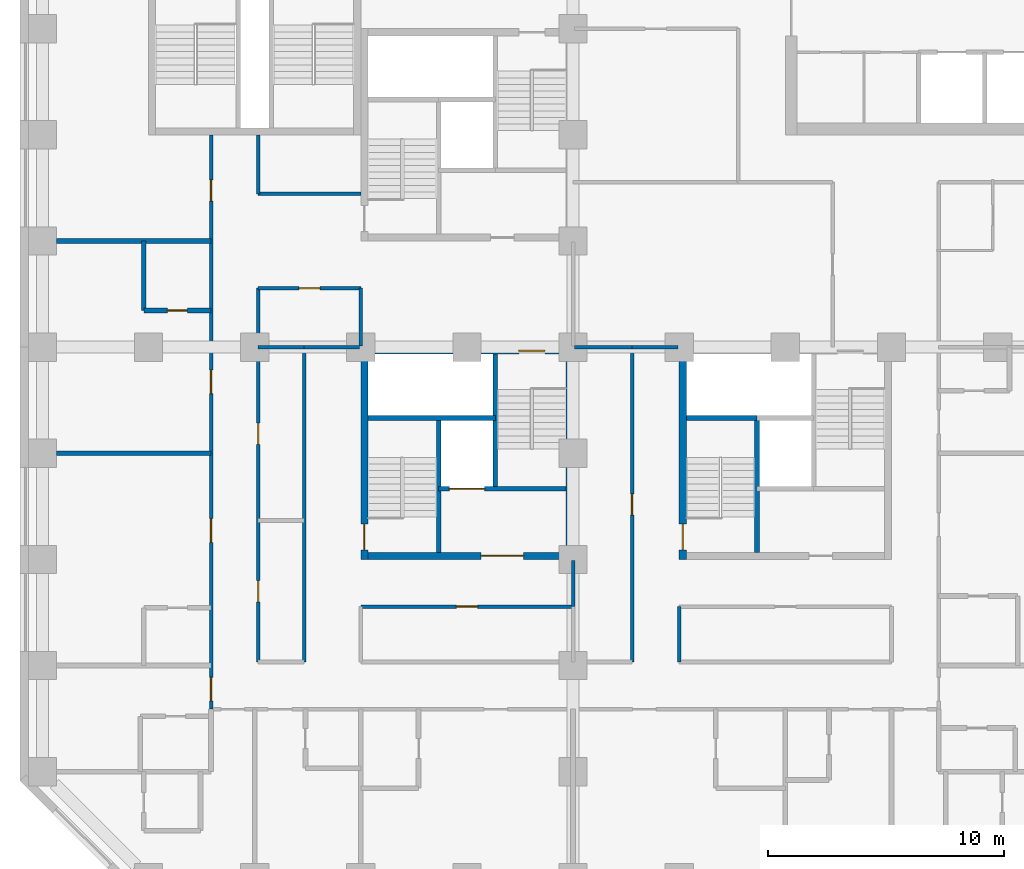
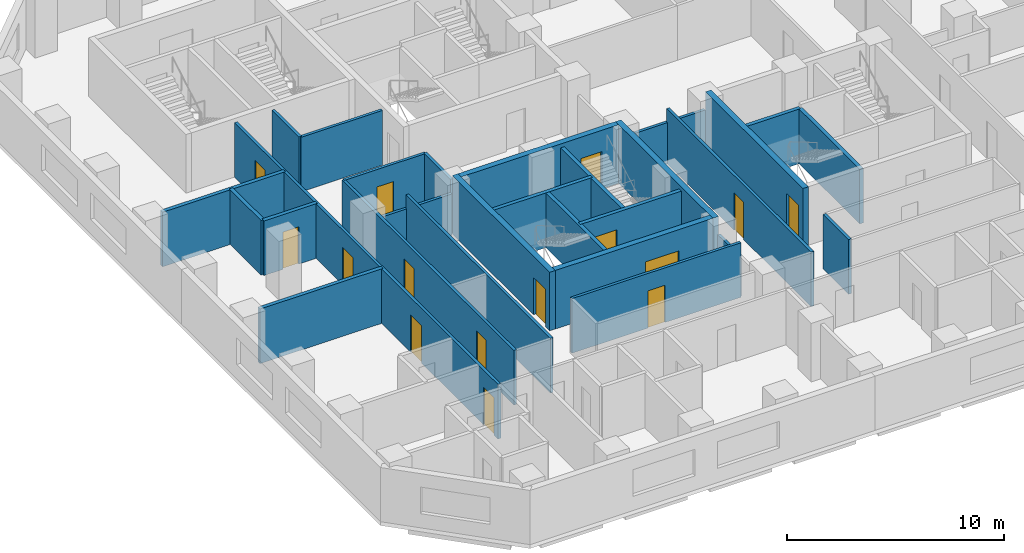
# One storey, part 3 of 12: 30 walls, 15 doors, 15 openings.
"""IFC4 building model written with IfcOpenShell, lengths in metres."""

from ifc_helpers import new_model, si_unit, direction, frame, frame_2d, origin, place, context, subcontext, project, spatial, rectangle, extrude, material, layer, layer_set, type_object, element, fill, save


model = new_model("IFC4")

# Units and contexts
model_context = context("Model", 3, precision=1e-05, world=origin(), true_north=direction((0.0, 1.0)))
body_context = subcontext(model_context, "Body", "Model", "MODEL_VIEW")
ifc_project = project(units=[si_unit("LENGTHUNIT", "METRE"), si_unit("AREAUNIT", "SQUARE_METRE"), si_unit("VOLUMEUNIT", "CUBIC_METRE"), si_unit("PLANEANGLEUNIT", "RADIAN"), si_unit("MASSUNIT", "GRAM", prefix="KILO")], contexts=[model_context])

# Site, building, storey
site_placement = place(None, origin())
site = spatial("IfcSite", under=ifc_project, at=site_placement, CompositionType="ELEMENT")
building_placement = place(site_placement, origin())
building = spatial("IfcBuilding", under=site, at=building_placement, Name="Quoin Convention Tower", CompositionType="ELEMENT")
storey_placement = place(building_placement, frame((0.0, 0.0, 46.199951171875)))
storey = spatial("IfcBuildingStorey", under=building, at=storey_placement, Name="L11", CompositionType="ELEMENT", Elevation=46.199951171875)

# Walls
ifc_material_1 = material(Name="Concrete C50", Category="concrete")
ifc_layer_1 = layer(ifc_material_1, 0.199951171875)
ifc_layer_set_1 = layer_set([ifc_layer_1], Name="Concrete C50")
wall_type_1 = type_object("IfcWallType", Name="Core shaft wall", PredefinedType="SOLIDWALL", material=ifc_layer_set_1)
wall_1_placement = place(storey_placement, frame((40.800048828125, 37.5, 0.0), z_axis=(0.0, 0.0, 1.0), x_axis=(1.0, 0.0, 0.0)))
element("IfcWall", 1, at=wall_1_placement, inside=storey, type_object=wall_type_1, Name="cr-P3-L11-h6000_300", PredefinedType="SOLIDWALL", context=body_context, shape_type="SweptSolid", body=[
    extrude(rectangle(XDim=3.0, YDim=0.199951171875, at=frame_2d((1.5, 0.0))), origin(), (0.0, 0.0, 1.0), 3.080078125),
])
wall_2_placement = place(storey_placement, frame((43.800048828125, 31.800048828125, 0.0), z_axis=(0.0, 0.0, 1.0), x_axis=(0.0, 1.0, 0.0)))
element("IfcWall", 2, at=wall_2_placement, inside=storey, type_object=wall_type_1, Name="cr-P3-L11-v3300_300", PredefinedType="SOLIDWALL", context=body_context, shape_type="SweptSolid", body=[
    extrude(rectangle(XDim=5.699951171875, YDim=0.199951171875, at=frame_2d((2.85009765625, 0.0))), origin(), (0.0, 0.0, 1.0), 3.080078125),
])

# Wall, opening, door
wall_3_placement = place(storey_placement, frame((30.300048828125, 34.5, 0.0), z_axis=(0.0, 0.0, 1.0), x_axis=(1.0, 0.0, 0.0)))
wall_3 = element("IfcWall", 3, at=wall_3_placement, inside=storey, type_object=wall_type_1, Name="cr-P4-L11-h3000_3300", PredefinedType="SOLIDWALL", context=body_context, shape_type="SweptSolid", body=[
    extrude(rectangle(XDim=5.39990234375, YDim=0.199951171875, at=frame_2d((2.699951171875, 0.0))), origin(), (0.0, 0.0, 1.0), 3.080078125),
])
opening_1_placement = place(wall_3_placement, frame((0.449951171875, 0.0, 0.0)))
opening_1 = element("IfcOpeningElement", 4, at=opening_1_placement, cuts=wall_3, Name="Opening LDGL1", PredefinedType="OPENING", context=body_context, shape_type="SweptSolid", body=[
    extrude(rectangle(XDim=1.5, YDim=2.10009765625, at=frame_2d((0.75, 1.050048828125))), frame((0.0, 0.10986328125, 0.0), z_axis=(0.0, -1.0, 0.0), x_axis=(1.0, 0.0, 0.0)), (0.0, 0.0, 1.0), 0.219970703125),
])
ifc_material_2 = material(Name="Steel door leaf", Category="steel")
door_type_1 = type_object("IfcDoorType", Name="Lift landing door 1500 x 2100", OperationType="DOUBLE_DOOR_SLIDING", PredefinedType="DOOR", material=ifc_material_2)
door_1_placement = place(opening_1_placement, origin())
door_1 = element("IfcDoor", 5, at=door_1_placement, inside=storey, type_object=door_type_1, Name="cd-P4-L11-CEN-R2-LDGL1", OperationType="DOUBLE_DOOR_SLIDING", OverallHeight=2.10009765625, OverallWidth=1.5, PredefinedType="DOOR", context=body_context, shape_type="SweptSolid", body=[
    extrude(rectangle(XDim=1.5, YDim=2.10009765625, at=frame_2d((0.75, 1.050048828125))), frame((0.0, 0.02490234375, 0.0), z_axis=(0.0, -1.0, 0.0), x_axis=(1.0, 0.0, 0.0)), (0.0, 0.0, 1.0), 0.050048828125),
])
fill(opening_1, door_1)

# Walls
wall_4_placement = place(storey_placement, frame((27.300048828125, 37.5, 0.0), z_axis=(0.0, 0.0, 1.0), x_axis=(1.0, 0.0, 0.0)))
element("IfcWall", 6, at=wall_4_placement, inside=storey, type_object=wall_type_1, Name="cr-P4-L11-h6000_300", PredefinedType="SOLIDWALL", context=body_context, shape_type="SweptSolid", body=[
    extrude(rectangle(XDim=5.39990234375, YDim=0.199951171875, at=frame_2d((2.699951171875, 0.0))), origin(), (0.0, 0.0, 1.0), 3.080078125),
])
for number, where, z_axis, x_axis, name in (
    (7, (30.300048828125, 31.800048828125, 0.0), (0.0, 0.0, 1.0), (0.0, 1.0, 0.0), "cr-P4-L11-v3300_300"),
    (8, (32.699951171875, 34.5, 0.0), (0.0, 0.0, 1.0), (0.0, 1.0, 0.0), "cr-P4-L11-v5700_3000"),
):
    element("IfcWall", number, at=place(storey_placement, frame(where, z_axis=z_axis, x_axis=x_axis)), inside=storey, type_object=wall_type_1, Name=name, PredefinedType="SOLIDWALL", context=body_context, shape_type="SweptSolid", body=[
        extrude(rectangle(XDim=5.699951171875, YDim=0.199951171875, at=frame_2d((2.85009765625, 0.0))), origin(), (0.0, 0.0, 1.0), 3.080078125),
    ])

# Wall, opening, door
ifc_material_3 = material(Name="Concrete C80", Category="concrete")
ifc_layer_2 = layer(ifc_material_3, 0.300048828125)
ifc_layer_set_2 = layer_set([ifc_layer_2], Name="Concrete C80")
wall_type_2 = type_object("IfcWallType", Name="RC CORE WALL 300 C80", PredefinedType="SHEAR", material=ifc_layer_set_2)
wall_5_placement = place(storey_placement, frame((40.64990234375, 31.5, 0.0), z_axis=(0.0, 0.0, 1.0), x_axis=(0.0, 1.0, 0.0)))
wall_5 = element("IfcWall", 9, at=wall_5_placement, inside=storey, type_object=wall_type_2, Name="cwl-P3-L11-W", PredefinedType="SHEAR", context=body_context, shape_type="SweptSolid", body=[
    extrude(rectangle(XDim=9.0, YDim=0.300048828125, at=frame_2d((4.5, 0.0))), origin(), (0.0, 0.0, 1.0), 3.300048828125),
])
opening_2_placement = place(wall_5_placement, frame((0.39990234375, 0.0, 0.0)))
opening_2 = element("IfcOpeningElement", 10, at=opening_2_placement, cuts=wall_5, Name="Opening SD5", PredefinedType="OPENING", context=body_context, shape_type="SweptSolid", body=[
    extrude(rectangle(XDim=1.10009765625, YDim=2.10009765625, at=frame_2d((0.550048828125, 1.050048828125))), frame((0.0, 0.159912109375, 0.0), z_axis=(0.0, -1.0, 0.0), x_axis=(1.0, 0.0, 0.0)), (0.0, 0.0, 1.0), 0.320068359375),
])
door_type_2 = type_object("IfcDoorType", Name="Stair door 1100 x 2100", OperationType="SINGLE_SWING_RIGHT", PredefinedType="DOOR", material=ifc_material_2)
door_2_placement = place(opening_2_placement, frame((1.10009765625, 0.0, 0.0), z_axis=(0.0, 0.0, 1.0), x_axis=(-1.0, 0.0, 0.0)))
door_2 = element("IfcDoor", 11, at=door_2_placement, inside=storey, type_object=door_type_2, Name="cd-P3-L11-SA-W", OperationType="SINGLE_SWING_RIGHT", OverallHeight=2.10009765625, OverallWidth=1.10009765625, PredefinedType="DOOR", context=body_context, shape_type="SweptSolid", body=[
    extrude(rectangle(XDim=1.10009765625, YDim=2.10009765625, at=frame_2d((0.550048828125, 1.050048828125))), frame((0.0, 0.02490234375, 0.0), z_axis=(0.0, -1.0, 0.0), x_axis=(1.0, 0.0, 0.0)), (0.0, 0.0, 1.0), 0.050048828125),
])
fill(opening_2, door_2)

wall_6_placement = place(storey_placement, frame((27.300048828125, 31.64990234375, 0.0), z_axis=(0.0, 0.0, 1.0), x_axis=(1.0, 0.0, 0.0)))
wall_6 = element("IfcWall", 12, at=wall_6_placement, inside=storey, type_object=wall_type_2, Name="cwl-P4-L11-S", PredefinedType="SHEAR", context=body_context, shape_type="SweptSolid", body=[
    extrude(rectangle(XDim=8.39990234375, YDim=0.300048828125, at=frame_2d((4.199951171875, 0.0))), origin(), (0.0, 0.0, 1.0), 3.300048828125),
])
opening_3_placement = place(wall_6_placement, frame((4.800048828125, 0.0, 0.0)))
opening_3 = element("IfcOpeningElement", 13, at=opening_3_placement, cuts=wall_6, Name="Opening DCV4-44", PredefinedType="OPENING", context=body_context, shape_type="SweptSolid", body=[
    extrude(rectangle(XDim=1.800048828125, YDim=2.10009765625, at=frame_2d((0.89990234375, 1.050048828125))), frame((0.0, 0.159912109375, 0.0), z_axis=(0.0, -1.0, 0.0), x_axis=(1.0, 0.0, 0.0)), (0.0, 0.0, 1.0), 0.320068359375),
])
door_type_3 = type_object("IfcDoorType", Name="Goods lobby door 1800 x 2100", OperationType="SINGLE_SWING_LEFT", PredefinedType="DOOR", material=ifc_material_2)
door_3_placement = place(opening_3_placement, origin())
door_3 = element("IfcDoor", 14, at=door_3_placement, inside=storey, type_object=door_type_3, Name="cd-P4-L11-R2-S", OperationType="SINGLE_SWING_LEFT", OverallHeight=2.10009765625, OverallWidth=1.800048828125, PredefinedType="DOOR", context=body_context, shape_type="SweptSolid", body=[
    extrude(rectangle(XDim=1.800048828125, YDim=2.10009765625, at=frame_2d((0.89990234375, 1.050048828125))), frame((0.0, 0.02490234375, 0.0), z_axis=(0.0, -1.0, 0.0), x_axis=(1.0, 0.0, 0.0)), (0.0, 0.0, 1.0), 0.050048828125),
])
fill(opening_3, door_3)

wall_7_placement = place(storey_placement, frame((27.300048828125, 40.35009765625, 0.0), z_axis=(0.0, 0.0, 1.0), x_axis=(1.0, 0.0, 0.0)))
wall_7 = element("IfcWall", 15, at=wall_7_placement, inside=storey, type_object=wall_type_2, Name="cwl-P4-L11-N", PredefinedType="SHEAR", context=body_context, shape_type="SweptSolid", body=[
    extrude(rectangle(XDim=8.39990234375, YDim=0.300048828125, at=frame_2d((4.199951171875, 0.0))), origin(), (0.0, 0.0, 1.0), 3.300048828125),
])
opening_4_placement = place(wall_7_placement, frame((6.39990234375, 0.0, 0.0)))
opening_4 = element("IfcOpeningElement", 16, at=opening_4_placement, cuts=wall_7, Name="Opening SD8", PredefinedType="OPENING", context=body_context, shape_type="SweptSolid", body=[
    extrude(rectangle(XDim=1.10009765625, YDim=2.10009765625, at=frame_2d((0.550048828125, 1.050048828125))), frame((0.0, 0.159912109375, 0.0), z_axis=(0.0, -1.0, 0.0), x_axis=(1.0, 0.0, 0.0)), (0.0, 0.0, 1.0), 0.320068359375),
])
door_4_placement = place(opening_4_placement, frame((1.10009765625, 0.0, 0.0), z_axis=(0.0, 0.0, 1.0), x_axis=(-1.0, 0.0, 0.0)))
door_4 = element("IfcDoor", 17, at=door_4_placement, inside=storey, type_object=door_type_2, Name="cd-P4-L11-SB-N", OperationType="SINGLE_SWING_LEFT", OverallHeight=2.10009765625, OverallWidth=1.10009765625, PredefinedType="DOOR", context=body_context, shape_type="SweptSolid", body=[
    extrude(rectangle(XDim=1.10009765625, YDim=2.10009765625, at=frame_2d((0.550048828125, 1.050048828125))), frame((0.0, 0.02490234375, 0.0), z_axis=(0.0, -1.0, 0.0), x_axis=(1.0, 0.0, 0.0)), (0.0, 0.0, 1.0), 0.050048828125),
])
fill(opening_4, door_4)

wall_8_placement = place(storey_placement, frame((27.14990234375, 31.5, 0.0), z_axis=(0.0, 0.0, 1.0), x_axis=(0.0, 1.0, 0.0)))
wall_8 = element("IfcWall", 18, at=wall_8_placement, inside=storey, type_object=wall_type_2, Name="cwl-P4-L11-W", PredefinedType="SHEAR", context=body_context, shape_type="SweptSolid", body=[
    extrude(rectangle(XDim=9.0, YDim=0.300048828125, at=frame_2d((4.5, 0.0))), origin(), (0.0, 0.0, 1.0), 3.300048828125),
])
opening_5_placement = place(wall_8_placement, frame((0.39990234375, 0.0, 0.0)))
opening_5 = element("IfcOpeningElement", 19, at=opening_5_placement, cuts=wall_8, Name="Opening SD7", PredefinedType="OPENING", context=body_context, shape_type="SweptSolid", body=[
    extrude(rectangle(XDim=1.10009765625, YDim=2.10009765625, at=frame_2d((0.550048828125, 1.050048828125))), frame((0.0, 0.159912109375, 0.0), z_axis=(0.0, -1.0, 0.0), x_axis=(1.0, 0.0, 0.0)), (0.0, 0.0, 1.0), 0.320068359375),
])
door_5_placement = place(opening_5_placement, frame((1.10009765625, 0.0, 0.0), z_axis=(0.0, 0.0, 1.0), x_axis=(-1.0, 0.0, 0.0)))
door_5 = element("IfcDoor", 20, at=door_5_placement, inside=storey, type_object=door_type_2, Name="cd-P4-L11-SA-W", OperationType="SINGLE_SWING_RIGHT", OverallHeight=2.10009765625, OverallWidth=1.10009765625, PredefinedType="DOOR", context=body_context, shape_type="SweptSolid", body=[
    extrude(rectangle(XDim=1.10009765625, YDim=2.10009765625, at=frame_2d((0.550048828125, 1.050048828125))), frame((0.0, 0.02490234375, 0.0), z_axis=(0.0, -1.0, 0.0), x_axis=(1.0, 0.0, 0.0)), (0.0, 0.0, 1.0), 0.050048828125),
])
fill(opening_5, door_5)

# Walls
wall_9_placement = place(storey_placement, frame((35.85009765625, 31.5, 0.0), z_axis=(0.0, 0.0, 1.0), x_axis=(0.0, 1.0, 0.0)))
element("IfcWall", 21, at=wall_9_placement, inside=storey, type_object=wall_type_2, Name="cwl-P4-L11-E", PredefinedType="SHEAR", context=body_context, shape_type="SweptSolid", body=[
    extrude(rectangle(XDim=9.0, YDim=0.300048828125, at=frame_2d((4.5, 0.0))), origin(), (0.0, 0.0, 1.0), 3.300048828125),
])
ifc_layer_3 = layer(ifc_material_1, 0.199951171875)
ifc_layer_set_3 = layer_set([ifc_layer_3], Name="Concrete C50")
wall_type_3 = type_object("IfcWallType", Name="RC party wall", PredefinedType="SOLIDWALL", material=ifc_layer_set_3)
wall_10_placement = place(storey_placement, frame((14.10009765625, 36.0, 0.0), z_axis=(0.0, 0.0, 1.0), x_axis=(1.0, 0.0, 0.0)))
element("IfcWall", 22, at=wall_10_placement, inside=storey, type_object=wall_type_3, Name="pw-L11-068", PredefinedType="SOLIDWALL", context=body_context, shape_type="SweptSolid", body=[
    extrude(rectangle(XDim=6.5498046875, YDim=0.199951171875, at=frame_2d((3.27490234375, 0.0))), origin(), (0.0, 0.0, 1.0), 3.080078125),
])

# Wall, opening, door
wall_11_placement = place(storey_placement, frame((17.800048828125, 42.050048828125, 0.0), z_axis=(0.0, 0.0, 1.0), x_axis=(1.0, 0.0, 0.0)))
wall_11 = element("IfcWall", 23, at=wall_11_placement, inside=storey, type_object=wall_type_3, Name="pw-L11-073", PredefinedType="SOLIDWALL", context=body_context, shape_type="SweptSolid", body=[
    extrude(rectangle(XDim=2.849853515625, YDim=0.199951171875, at=frame_2d((1.4248046875, 0.0))), origin(), (0.0, 0.0, 1.0), 3.080078125),
])
opening_6_placement = place(wall_11_placement, frame((1.0, 0.0, 0.0)))
opening_6 = element("IfcOpeningElement", 24, at=opening_6_placement, cuts=wall_11, Name="Opening DHOTEL-H-54", PredefinedType="OPENING", context=body_context, shape_type="SweptSolid", body=[
    extrude(rectangle(XDim=0.85009765625, YDim=2.10009765625, at=frame_2d((0.425048828125, 1.050048828125))), frame((0.0, 0.10986328125, 0.0), z_axis=(0.0, -1.0, 0.0), x_axis=(1.0, 0.0, 0.0)), (0.0, 0.0, 1.0), 0.219970703125),
])
door_type_4 = type_object("IfcDoorType", Name="Bathroom door", OperationType="SINGLE_SWING_LEFT", PredefinedType="DOOR", material=ifc_material_2)
door_6_placement = place(opening_6_placement, frame((0.85009765625, 0.0, 0.0), z_axis=(0.0, 0.0, 1.0), x_axis=(-1.0, 0.0, 0.0)))
door_6 = element("IfcDoor", 25, at=door_6_placement, inside=storey, type_object=door_type_4, Name="dr-L11-014", OperationType="SINGLE_SWING_LEFT", OverallHeight=2.10009765625, OverallWidth=0.85009765625, PredefinedType="DOOR", context=body_context, shape_type="SweptSolid", body=[
    extrude(rectangle(XDim=0.85009765625, YDim=2.10009765625, at=frame_2d((0.425048828125, 1.050048828125))), frame((0.0, 0.02490234375, 0.0), z_axis=(0.0, -1.0, 0.0), x_axis=(1.0, 0.0, 0.0)), (0.0, 0.0, 1.0), 0.050048828125),
])
fill(opening_6, door_6)

# Walls
wall_12_placement = place(storey_placement, frame((17.800048828125, 42.050048828125, 0.0), z_axis=(0.0, 0.0, 1.0), x_axis=(0.0, 1.0, 0.0)))
element("IfcWall", 26, at=wall_12_placement, inside=storey, type_object=wall_type_3, Name="pw-L11-074", PredefinedType="SOLIDWALL", context=body_context, shape_type="SweptSolid", body=[
    extrude(rectangle(XDim=2.949951171875, YDim=0.199951171875, at=frame_2d((1.47509765625, 0.0))), origin(), (0.0, 0.0, 1.0), 3.080078125),
])
wall_13_placement = place(storey_placement, frame((14.10009765625, 45.0, 0.0), z_axis=(0.0, 0.0, 1.0), x_axis=(1.0, 0.0, 0.0)))
element("IfcWall", 27, at=wall_13_placement, inside=storey, type_object=wall_type_3, Name="pw-L11-080", PredefinedType="SOLIDWALL", context=body_context, shape_type="SweptSolid", body=[
    extrude(rectangle(XDim=6.5498046875, YDim=0.199951171875, at=frame_2d((3.27490234375, 0.0))), origin(), (0.0, 0.0, 1.0), 3.080078125),
])

# Wall, openings, doors
ifc_material_4 = material(Name="Plasterboard")
ifc_layer_4 = layer(ifc_material_4, 0.012451171875, Name="Finish")
ifc_material_5 = material(Name="Steel stud framing", Category="steel")
ifc_layer_5 = layer(ifc_material_5, 0.125, Name="Structure")
ifc_layer_6 = layer(ifc_material_4, 0.012451171875, Name="Finish")
ifc_layer_set_4 = layer_set([ifc_layer_4, ifc_layer_5, ifc_layer_6], Name="Steel stud framing")
wall_type_4 = type_object("IfcWallType", Name="corridor partition", PredefinedType="PARTITIONING", material=ifc_layer_set_4)
wall_14_placement = place(storey_placement, frame((20.64990234375, 25.14990234375, 0.0), z_axis=(0.0, 0.0, 1.0), x_axis=(0.0, 1.0, 0.0)))
wall_14 = element("IfcWall", 28, at=wall_14_placement, inside=storey, type_object=wall_type_4, Name="pw-L11-004", PredefinedType="PARTITIONING", context=body_context, shape_type="SweptSolid", body=[
    extrude(rectangle(XDim=24.35009765625, YDim=0.14990234375, at=frame_2d((12.175048828125, 0.0))), origin(), (0.0, 0.0, 1.0), 3.080078125),
])
opening_7_placement = place(wall_14_placement, frame((0.346923828125, 0.0, 0.0)))
opening_7 = element("IfcOpeningElement", 29, at=opening_7_placement, cuts=wall_14, Name="Opening DHOTEL-H-07", PredefinedType="OPENING", context=body_context, shape_type="SweptSolid", body=[
    extrude(rectangle(XDim=1.0, YDim=2.10009765625, at=frame_2d((0.5, 1.050048828125))), frame((0.0, 0.0849609375, 0.0), z_axis=(0.0, -1.0, 0.0), x_axis=(1.0, 0.0, 0.0)), (0.0, 0.0, 1.0), 0.169921875),
])
opening_8_placement = place(wall_14_placement, frame((7.074951171875, 0.0, 0.0)))
opening_8 = element("IfcOpeningElement", 30, at=opening_8_placement, cuts=wall_14, Name="Opening DHOTEL-H-08", PredefinedType="OPENING", context=body_context, shape_type="SweptSolid", body=[
    extrude(rectangle(XDim=1.0, YDim=2.10009765625, at=frame_2d((0.5, 1.050048828125))), frame((0.0, 0.0849609375, 0.0), z_axis=(0.0, -1.0, 0.0), x_axis=(1.0, 0.0, 0.0)), (0.0, 0.0, 1.0), 0.169921875),
])
opening_9_placement = place(wall_14_placement, frame((13.375, 0.0, 0.0)))
opening_9 = element("IfcOpeningElement", 31, at=opening_9_placement, cuts=wall_14, Name="Opening DHOTEL-H-09", PredefinedType="OPENING", context=body_context, shape_type="SweptSolid", body=[
    extrude(rectangle(XDim=1.0, YDim=2.10009765625, at=frame_2d((0.5, 1.050048828125))), frame((0.0, 0.0849609375, 0.0), z_axis=(0.0, -1.0, 0.0), x_axis=(1.0, 0.0, 0.0)), (0.0, 0.0, 1.0), 0.169921875),
])
opening_10_placement = place(wall_14_placement, frame((21.5400390625, 0.0, 0.0)))
opening_10 = element("IfcOpeningElement", 32, at=opening_10_placement, cuts=wall_14, Name="Opening DHOTEL-H-10", PredefinedType="OPENING", context=body_context, shape_type="SweptSolid", body=[
    extrude(rectangle(XDim=0.89990234375, YDim=2.10009765625, at=frame_2d((0.449951171875, 1.050048828125))), frame((0.0, 0.0849609375, 0.0), z_axis=(0.0, -1.0, 0.0), x_axis=(1.0, 0.0, 0.0)), (0.0, 0.0, 1.0), 0.169921875),
])
door_type_5 = type_object("IfcDoorType", Name="Hotel room door", OperationType="SINGLE_SWING_LEFT", PredefinedType="DOOR", material=ifc_material_2)
door_7_placement = place(opening_7_placement, origin())
door_7 = element("IfcDoor", 33, at=door_7_placement, inside=storey, type_object=door_type_5, Name="dr-L11-009", OperationType="SINGLE_SWING_LEFT", OverallHeight=2.10009765625, OverallWidth=1.0, PredefinedType="DOOR", context=body_context, shape_type="SweptSolid", body=[
    extrude(rectangle(XDim=1.0, YDim=2.10009765625, at=frame_2d((0.5, 1.050048828125))), frame((0.0, 0.02490234375, 0.0), z_axis=(0.0, -1.0, 0.0), x_axis=(1.0, 0.0, 0.0)), (0.0, 0.0, 1.0), 0.050048828125),
])
fill(opening_7, door_7)
door_8_placement = place(opening_8_placement, origin())
door_8 = element("IfcDoor", 34, at=door_8_placement, inside=storey, type_object=door_type_5, Name="dr-L11-011", OperationType="SINGLE_SWING_RIGHT", OverallHeight=2.10009765625, OverallWidth=1.0, PredefinedType="DOOR", context=body_context, shape_type="SweptSolid", body=[
    extrude(rectangle(XDim=1.0, YDim=2.10009765625, at=frame_2d((0.5, 1.050048828125))), frame((0.0, 0.02490234375, 0.0), z_axis=(0.0, -1.0, 0.0), x_axis=(1.0, 0.0, 0.0)), (0.0, 0.0, 1.0), 0.050048828125),
])
fill(opening_8, door_8)
door_9_placement = place(opening_9_placement, origin())
door_9 = element("IfcDoor", 35, at=door_9_placement, inside=storey, type_object=door_type_5, Name="dr-L11-013", OperationType="SINGLE_SWING_RIGHT", OverallHeight=2.10009765625, OverallWidth=1.0, PredefinedType="DOOR", context=body_context, shape_type="SweptSolid", body=[
    extrude(rectangle(XDim=1.0, YDim=2.10009765625, at=frame_2d((0.5, 1.050048828125))), frame((0.0, 0.02490234375, 0.0), z_axis=(0.0, -1.0, 0.0), x_axis=(1.0, 0.0, 0.0)), (0.0, 0.0, 1.0), 0.050048828125),
])
fill(opening_9, door_9)
door_type_6 = type_object("IfcDoorType", Name="Single room door", OperationType="SINGLE_SWING_RIGHT", PredefinedType="DOOR", material=ifc_material_2)
door_10_placement = place(opening_10_placement, origin())
door_10 = element("IfcDoor", 36, at=door_10_placement, inside=storey, type_object=door_type_6, Name="dr-L11-w01", OperationType="SINGLE_SWING_LEFT", OverallHeight=2.10009765625, OverallWidth=0.89990234375, PredefinedType="DOOR", context=body_context, shape_type="SweptSolid", body=[
    extrude(rectangle(XDim=0.89990234375, YDim=2.10009765625, at=frame_2d((0.449951171875, 1.050048828125))), frame((0.0, 0.02490234375, 0.0), z_axis=(0.0, -1.0, 0.0), x_axis=(1.0, 0.0, 0.0)), (0.0, 0.0, 1.0), 0.050048828125),
])
fill(opening_10, door_10)

wall_15_placement = place(storey_placement, frame((22.64990234375, 27.14990234375, 0.0), z_axis=(0.0, 0.0, 1.0), x_axis=(0.0, 1.0, 0.0)))
wall_15 = element("IfcWall", 37, at=wall_15_placement, inside=storey, type_object=wall_type_4, Name="pw-L11-007", PredefinedType="PARTITIONING", context=body_context, shape_type="SweptSolid", body=[
    extrude(rectangle(XDim=15.85009765625, YDim=0.14990234375, at=frame_2d((7.925048828125, 0.0))), origin(), (0.0, 0.0, 1.0), 3.080078125),
])
opening_11_placement = place(wall_15_placement, frame((2.550048828125, 0.0, 0.0)))
opening_11 = element("IfcOpeningElement", 38, at=opening_11_placement, cuts=wall_15, Name="Opening DHOTEL-H-14", PredefinedType="OPENING", context=body_context, shape_type="SweptSolid", body=[
    extrude(rectangle(XDim=0.89990234375, YDim=2.10009765625, at=frame_2d((0.449951171875, 1.050048828125))), frame((0.0, 0.0849609375, 0.0), z_axis=(0.0, -1.0, 0.0), x_axis=(1.0, 0.0, 0.0)), (0.0, 0.0, 1.0), 0.169921875),
])
opening_12_placement = place(wall_15_placement, frame((9.22509765625, 0.0, 0.0)))
opening_12 = element("IfcOpeningElement", 39, at=opening_12_placement, cuts=wall_15, Name="Opening DHOTEL-H-15", PredefinedType="OPENING", context=body_context, shape_type="SweptSolid", body=[
    extrude(rectangle(XDim=0.89990234375, YDim=2.10009765625, at=frame_2d((0.449951171875, 1.050048828125))), frame((0.0, 0.0849609375, 0.0), z_axis=(0.0, -1.0, 0.0), x_axis=(1.0, 0.0, 0.0)), (0.0, 0.0, 1.0), 0.169921875),
])
door_type_7 = type_object("IfcDoorType", Name="Service room door", OperationType="SINGLE_SWING_LEFT", PredefinedType="DOOR", material=ifc_material_2)
door_11_placement = place(opening_11_placement, frame((0.89990234375, 0.0, 0.0), z_axis=(0.0, 0.0, 1.0), x_axis=(-1.0, 0.0, 0.0)))
door_11 = element("IfcDoor", 40, at=door_11_placement, inside=storey, type_object=door_type_7, Name="dr-L11-069", OperationType="SINGLE_SWING_LEFT", OverallHeight=2.10009765625, OverallWidth=0.89990234375, PredefinedType="DOOR", context=body_context, shape_type="SweptSolid", body=[
    extrude(rectangle(XDim=0.89990234375, YDim=2.10009765625, at=frame_2d((0.449951171875, 1.050048828125))), frame((0.0, 0.02490234375, 0.0), z_axis=(0.0, -1.0, 0.0), x_axis=(1.0, 0.0, 0.0)), (0.0, 0.0, 1.0), 0.050048828125),
])
fill(opening_11, door_11)
door_12_placement = place(opening_12_placement, frame((0.89990234375, 0.0, 0.0), z_axis=(0.0, 0.0, 1.0), x_axis=(-1.0, 0.0, 0.0)))
door_12 = element("IfcDoor", 41, at=door_12_placement, inside=storey, type_object=door_type_7, Name="dr-L11-070", OperationType="SINGLE_SWING_LEFT", OverallHeight=2.10009765625, OverallWidth=0.89990234375, PredefinedType="DOOR", context=body_context, shape_type="SweptSolid", body=[
    extrude(rectangle(XDim=0.89990234375, YDim=2.10009765625, at=frame_2d((0.449951171875, 1.050048828125))), frame((0.0, 0.02490234375, 0.0), z_axis=(0.0, -1.0, 0.0), x_axis=(1.0, 0.0, 0.0)), (0.0, 0.0, 1.0), 0.050048828125),
])
fill(opening_12, door_12)

# Wall
wall_16_placement = place(storey_placement, frame((24.60009765625, 27.14990234375, 0.0), z_axis=(0.0, 0.0, 1.0), x_axis=(0.0, 1.0, 0.0)))
element("IfcWall", 42, at=wall_16_placement, inside=storey, type_object=wall_type_4, Name="pw-L11-008", PredefinedType="PARTITIONING", context=body_context, shape_type="SweptSolid", body=[
    extrude(rectangle(XDim=13.35009765625, YDim=0.14990234375, at=frame_2d((6.675048828125, 0.0))), origin(), (0.0, 0.0, 1.0), 3.080078125),
])

# Wall, opening, door
wall_17_placement = place(storey_placement, frame((38.5, 27.14990234375, 0.0), z_axis=(0.0, 0.0, 1.0), x_axis=(0.0, 1.0, 0.0)))
wall_17 = element("IfcWall", 43, at=wall_17_placement, inside=storey, type_object=wall_type_4, Name="pw-L11-011", PredefinedType="PARTITIONING", context=body_context, shape_type="SweptSolid", body=[
    extrude(rectangle(XDim=13.35009765625, YDim=0.14990234375, at=frame_2d((6.675048828125, 0.0))), origin(), (0.0, 0.0, 1.0), 3.080078125),
])
opening_13_placement = place(wall_17_placement, frame((6.22509765625, 0.0, 0.0)))
opening_13 = element("IfcOpeningElement", 44, at=opening_13_placement, cuts=wall_17, Name="Opening DHOTEL-H-16", PredefinedType="OPENING", context=body_context, shape_type="SweptSolid", body=[
    extrude(rectangle(XDim=0.89990234375, YDim=2.10009765625, at=frame_2d((0.449951171875, 1.050048828125))), frame((0.0, 0.0849609375, 0.0), z_axis=(0.0, -1.0, 0.0), x_axis=(1.0, 0.0, 0.0)), (0.0, 0.0, 1.0), 0.169921875),
])
door_13_placement = place(opening_13_placement, origin())
door_13 = element("IfcDoor", 45, at=door_13_placement, inside=storey, type_object=door_type_6, Name="dr-L11-072", OperationType="SINGLE_SWING_RIGHT", OverallHeight=2.10009765625, OverallWidth=0.89990234375, PredefinedType="DOOR", context=body_context, shape_type="SweptSolid", body=[
    extrude(rectangle(XDim=0.89990234375, YDim=2.10009765625, at=frame_2d((0.449951171875, 1.050048828125))), frame((0.0, 0.02490234375, 0.0), z_axis=(0.0, -1.0, 0.0), x_axis=(1.0, 0.0, 0.0)), (0.0, 0.0, 1.0), 0.050048828125),
])
fill(opening_13, door_13)

# Wall
wall_18_placement = place(storey_placement, frame((40.5, 27.14990234375, 0.0), z_axis=(0.0, 0.0, 1.0), x_axis=(0.0, 1.0, 0.0)))
element("IfcWall", 46, at=wall_18_placement, inside=storey, type_object=wall_type_4, Name="pw-L11-013", PredefinedType="PARTITIONING", context=body_context, shape_type="SweptSolid", body=[
    extrude(rectangle(XDim=2.35009765625, YDim=0.14990234375, at=frame_2d((1.175048828125, 0.0))), origin(), (0.0, 0.0, 1.0), 3.080078125),
])

# Wall, opening, door
wall_19_placement = place(storey_placement, frame((27.0, 29.5, 0.0), z_axis=(0.0, 0.0, 1.0), x_axis=(1.0, 0.0, 0.0)))
wall_19 = element("IfcWall", 47, at=wall_19_placement, inside=storey, type_object=wall_type_4, Name="pw-L11-015", PredefinedType="PARTITIONING", context=body_context, shape_type="SweptSolid", body=[
    extrude(rectangle(XDim=9.0, YDim=0.14990234375, at=frame_2d((4.5, 0.0))), origin(), (0.0, 0.0, 1.0), 3.080078125),
])
opening_14_placement = place(wall_19_placement, frame((4.050048828125, 0.0, 0.0)))
opening_14 = element("IfcOpeningElement", 48, at=opening_14_placement, cuts=wall_19, Name="Opening DHOTEL-H-17", PredefinedType="OPENING", context=body_context, shape_type="SweptSolid", body=[
    extrude(rectangle(XDim=0.89990234375, YDim=2.10009765625, at=frame_2d((0.449951171875, 1.050048828125))), frame((0.0, 0.0849609375, 0.0), z_axis=(0.0, -1.0, 0.0), x_axis=(1.0, 0.0, 0.0)), (0.0, 0.0, 1.0), 0.169921875),
])
door_14_placement = place(opening_14_placement, frame((0.89990234375, 0.0, 0.0), z_axis=(0.0, 0.0, 1.0), x_axis=(-1.0, 0.0, 0.0)))
door_14 = element("IfcDoor", 49, at=door_14_placement, inside=storey, type_object=door_type_6, Name="dr-L11-071", OperationType="SINGLE_SWING_LEFT", OverallHeight=2.10009765625, OverallWidth=0.89990234375, PredefinedType="DOOR", context=body_context, shape_type="SweptSolid", body=[
    extrude(rectangle(XDim=0.89990234375, YDim=2.10009765625, at=frame_2d((0.449951171875, 1.050048828125))), frame((0.0, 0.02490234375, 0.0), z_axis=(0.0, -1.0, 0.0), x_axis=(1.0, 0.0, 0.0)), (0.0, 0.0, 1.0), 0.050048828125),
])
fill(opening_14, door_14)

# Wall
wall_20_placement = place(storey_placement, frame((27.0, 40.550048828125, 0.0), z_axis=(0.0, 0.0, 1.0), x_axis=(0.0, 1.0, 0.0)))
element("IfcWall", 50, at=wall_20_placement, inside=storey, type_object=wall_type_4, Name="pw-L11-020", PredefinedType="PARTITIONING", context=body_context, shape_type="SweptSolid", body=[
    extrude(rectangle(XDim=2.449951171875, YDim=0.14990234375, at=frame_2d((1.22509765625, 0.0))), origin(), (0.0, 0.0, 1.0), 3.080078125),
])

# Wall, opening, door
wall_21_placement = place(storey_placement, frame((22.64990234375, 43.0, 0.0), z_axis=(0.0, 0.0, 1.0), x_axis=(1.0, 0.0, 0.0)))
wall_21 = element("IfcWall", 51, at=wall_21_placement, inside=storey, type_object=wall_type_4, Name="pw-L11-023", PredefinedType="PARTITIONING", context=body_context, shape_type="SweptSolid", body=[
    extrude(rectangle(XDim=4.35009765625, YDim=0.14990234375, at=frame_2d((2.175048828125, 0.0))), origin(), (0.0, 0.0, 1.0), 3.080078125),
])
opening_15_placement = place(wall_21_placement, frame((1.72509765625, 0.0, 0.0)))
opening_15 = element("IfcOpeningElement", 52, at=opening_15_placement, cuts=wall_21, Name="Opening DHOTEL-H-20", PredefinedType="OPENING", context=body_context, shape_type="SweptSolid", body=[
    extrude(rectangle(XDim=0.89990234375, YDim=2.10009765625, at=frame_2d((0.449951171875, 1.050048828125))), frame((0.0, 0.0849609375, 0.0), z_axis=(0.0, -1.0, 0.0), x_axis=(1.0, 0.0, 0.0)), (0.0, 0.0, 1.0), 0.169921875),
])
door_type_8 = type_object("IfcDoorType", Name="Toilet door", OperationType="SINGLE_SWING_LEFT", PredefinedType="DOOR", material=ifc_material_2)
door_15_placement = place(opening_15_placement, frame((0.89990234375, 0.0, 0.0), z_axis=(0.0, 0.0, 1.0), x_axis=(-1.0, 0.0, 0.0)))
door_15 = element("IfcDoor", 53, at=door_15_placement, inside=storey, type_object=door_type_8, Name="dr-L11-075", OperationType="SINGLE_SWING_LEFT", OverallHeight=2.10009765625, OverallWidth=0.89990234375, PredefinedType="DOOR", context=body_context, shape_type="SweptSolid", body=[
    extrude(rectangle(XDim=0.89990234375, YDim=2.10009765625, at=frame_2d((0.449951171875, 1.050048828125))), frame((0.0, 0.02490234375, 0.0), z_axis=(0.0, -1.0, 0.0), x_axis=(1.0, 0.0, 0.0)), (0.0, 0.0, 1.0), 0.050048828125),
])
fill(opening_15, door_15)

# Walls
wall_22_placement = place(storey_placement, frame((22.64990234375, 47.0, 0.0), z_axis=(0.0, 0.0, 1.0), x_axis=(1.0, 0.0, 0.0)))
element("IfcWall", 54, at=wall_22_placement, inside=storey, type_object=wall_type_4, Name="pw-L11-024", PredefinedType="PARTITIONING", context=body_context, shape_type="SweptSolid", body=[
    extrude(rectangle(XDim=4.35009765625, YDim=0.14990234375, at=frame_2d((2.175048828125, 0.0))), origin(), (0.0, 0.0, 1.0), 3.080078125),
])
wall_23_placement = place(storey_placement, frame((22.64990234375, 47.0, 0.0), z_axis=(0.0, 0.0, 1.0), x_axis=(0.0, 1.0, 0.0)))
element("IfcWall", 55, at=wall_23_placement, inside=storey, type_object=wall_type_4, Name="pw-L11-025", PredefinedType="PARTITIONING", context=body_context, shape_type="SweptSolid", body=[
    extrude(rectangle(XDim=2.5, YDim=0.14990234375, at=frame_2d((1.25, 0.0))), origin(), (0.0, 0.0, 1.0), 3.080078125),
])
ifc_layer_7 = layer(ifc_material_4, 0.012451171875, Name="Finish")
ifc_layer_8 = layer(ifc_material_5, 0.125, Name="Structure")
ifc_layer_9 = layer(ifc_material_4, 0.012451171875, Name="Finish")
ifc_layer_set_5 = layer_set([ifc_layer_7, ifc_layer_8, ifc_layer_9], Name="Steel stud framing")
wall_type_5 = type_object("IfcWallType", Name="corridor partition under beam 750", PredefinedType="PARTITIONING", material=ifc_layer_set_5)
wall_24_placement = place(storey_placement, frame((36.0, 29.5, 0.0), z_axis=(0.0, 0.0, 1.0), x_axis=(0.0, 1.0, 0.0)))
element("IfcWall", 56, at=wall_24_placement, inside=storey, type_object=wall_type_5, Name="pw-L11-016", PredefinedType="PARTITIONING", context=body_context, shape_type="SweptSolid", body=[
    extrude(rectangle(XDim=1.949951171875, YDim=0.14990234375, at=frame_2d((0.97509765625, 0.0))), origin(), (0.0, 0.0, 1.0), 2.330078125),
])
wall_25_placement = place(storey_placement, frame((24.60009765625, 40.5, 0.0), z_axis=(0.0, 0.0, 1.0), x_axis=(1.0, 0.0, 0.0)))
element("IfcWall", 57, at=wall_25_placement, inside=storey, type_object=wall_type_5, Name="pw-L11-018", PredefinedType="PARTITIONING", context=body_context, shape_type="SweptSolid", body=[
    extrude(rectangle(XDim=2.349853515625, YDim=0.14990234375, at=frame_2d((1.1748046875, 0.0))), origin(), (0.0, 0.0, 1.0), 2.330078125),
])
wall_26_placement = place(storey_placement, frame((38.5, 40.5, 0.0), z_axis=(0.0, 0.0, 1.0), x_axis=(1.0, 0.0, 0.0)))
element("IfcWall", 58, at=wall_26_placement, inside=storey, type_object=wall_type_5, Name="pw-L11-019", PredefinedType="PARTITIONING", context=body_context, shape_type="SweptSolid", body=[
    extrude(rectangle(XDim=1.949951171875, YDim=0.14990234375, at=frame_2d((0.97509765625, 0.0))), origin(), (0.0, 0.0, 1.0), 2.330078125),
])
ifc_layer_10 = layer(ifc_material_4, 0.012451171875, Name="Finish")
ifc_layer_11 = layer(ifc_material_5, 0.125, Name="Structure")
ifc_layer_12 = layer(ifc_material_4, 0.012451171875, Name="Finish")
ifc_layer_set_6 = layer_set([ifc_layer_10, ifc_layer_11, ifc_layer_12], Name="Steel stud framing")
wall_type_6 = type_object("IfcWallType", Name="room partition under beam 750", PredefinedType="PARTITIONING", material=ifc_layer_set_6)
wall_27_placement = place(storey_placement, frame((22.64990234375, 40.5, 0.0), z_axis=(0.0, 0.0, 1.0), x_axis=(1.0, 0.0, 0.0)))
element("IfcWall", 59, at=wall_27_placement, inside=storey, type_object=wall_type_6, Name="pw-L11-152", PredefinedType="PARTITIONING", context=body_context, shape_type="SweptSolid", body=[
    extrude(rectangle(XDim=1.9501953125, YDim=0.14990234375, at=frame_2d((0.97509765625, 0.0))), origin(), (0.0, 0.0, 1.0), 2.330078125),
])
wall_28_placement = place(storey_placement, frame((36.050048828125, 40.5, 0.0), z_axis=(0.0, 0.0, 1.0), x_axis=(1.0, 0.0, 0.0)))
element("IfcWall", 60, at=wall_28_placement, inside=storey, type_object=wall_type_6, Name="pw-L11-153", PredefinedType="PARTITIONING", context=body_context, shape_type="SweptSolid", body=[
    extrude(rectangle(XDim=2.449951171875, YDim=0.14990234375, at=frame_2d((1.22509765625, 0.0))), origin(), (0.0, 0.0, 1.0), 2.330078125),
])

save(model, "model.ifc")
